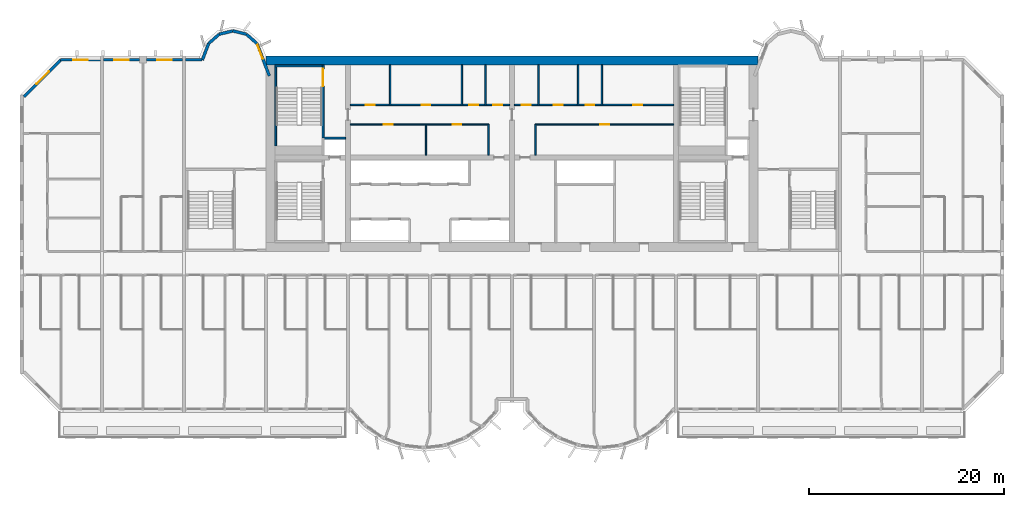
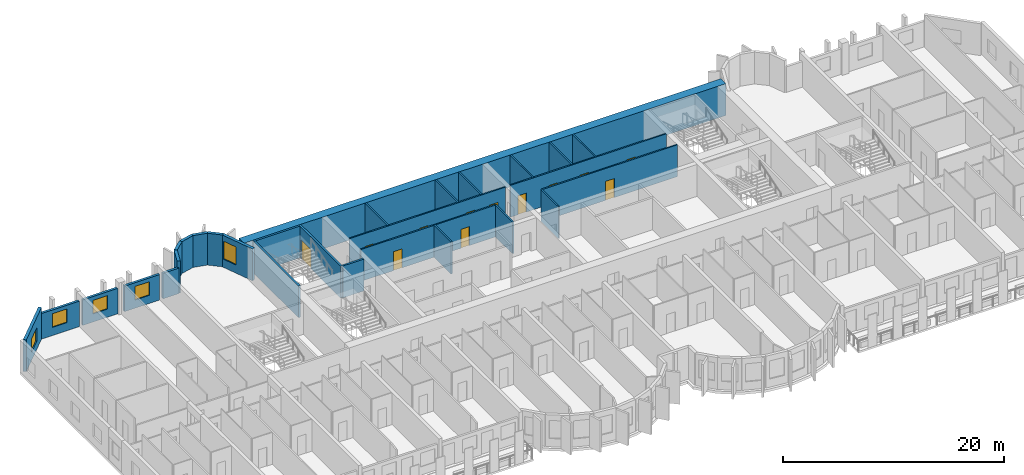
# One storey, part 7 of 14: 29 walls, 12 doors, 5 windows, 17 openings.
"""IFC4 building model written with IfcOpenShell, lengths in metres."""

from ifc_helpers import new_model, si_unit, direction, frame, frame_2d, origin, place, context, subcontext, project, spatial, rectangle, extrude, source, transform, mapped, material, layer, layer_set, type_object, element, fill, save


model = new_model("IFC4")

# Units and contexts
model_context = context("Model", 3, precision=1e-05, world=origin(), true_north=direction((0.0, 1.0)))
body_context = subcontext(model_context, "Body", "Model", "MODEL_VIEW")
ifc_project = project(units=[si_unit("LENGTHUNIT", "METRE"), si_unit("AREAUNIT", "SQUARE_METRE"), si_unit("VOLUMEUNIT", "CUBIC_METRE"), si_unit("PLANEANGLEUNIT", "RADIAN"), si_unit("MASSUNIT", "GRAM", prefix="KILO")], contexts=[model_context])

# Site, building, storey
site_placement = place(None, origin())
site = spatial("IfcSite", under=ifc_project, at=site_placement, CompositionType="ELEMENT")
building_placement = place(site_placement, origin())
building = spatial("IfcBuilding", under=site, at=building_placement, Name="Vanashikhar Sky Hotel", CompositionType="ELEMENT")
storey_placement = place(building_placement, frame((0.0, 0.0, 102.800048828125)))
storey = spatial("IfcBuildingStorey", under=building, at=storey_placement, Name="L24", CompositionType="ELEMENT", Elevation=102.800048828125)

# Wall
ifc_material_1 = material(Name="Concrete M70", Category="concrete")
ifc_layer_1 = layer(ifc_material_1, 0.89990234375)
ifc_layer_set_1 = layer_set([ifc_layer_1], Name="RC core shell wall 900 Concrete M70")
wall_type_1 = type_object("IfcWallType", Name="RC core shell wall 900 Concrete M70", PredefinedType="SHEAR", material=ifc_layer_set_1)
shared_shape_1 = source(origin(), body_context, "Body", "SweptSolid", [
    extrude(rectangle(XDim=50.400146484375, YDim=0.89990234375, at=frame_2d((25.2001953125, 0.0))), origin(), (0.0, 0.0, 1.0), 3.52001953125),
])
wall_1_placement = place(storey_placement, frame((25.199951171875, 41.550048828125, 0.0), z_axis=(0.0, 0.0, 1.0), x_axis=(1.0, 0.0, 0.0)))
element("IfcWall", 1, at=wall_1_placement, inside=storey, type_object=wall_type_1, Name="KW-L24-KN", PredefinedType="SHEAR", context=body_context, shape_type="MappedRepresentation", body=[
    mapped(shared_shape_1, transform((0.0, 0.0, 0.0), scale=1.0)),
])

# Wall, opening, window
ifc_material_2 = material(Name="Concrete M50", Category="concrete")
ifc_layer_2 = layer(ifc_material_2, 0.300048828125)
ifc_layer_set_2 = layer_set([ifc_layer_2], Name="Lobe wall 300")
wall_type_2 = type_object("IfcWallType", Name="Lobe wall 300", PredefinedType="SOLIDWALL", material=ifc_layer_set_2)
shared_shape_2 = source(origin(), body_context, "Body", "SweptSolid", [
    extrude(rectangle(XDim=5.32568359375, YDim=0.300048828125, at=frame_2d((2.662841796875, 0.0))), origin(), (0.0, 0.0, 1.0), 3.52001953125),
])
wall_2_placement = place(storey_placement, frame((4.165771484375, 41.60009765625, 0.0), z_axis=(0.0, 0.0, 1.0), x_axis=(-0.707106781187, -0.707106781187, 0.0)))
wall_2 = element("IfcWall", 2, at=wall_2_placement, inside=storey, type_object=wall_type_2, Name="Corner wall", PredefinedType="SOLIDWALL", context=body_context, shape_type="MappedRepresentation", body=[
    mapped(shared_shape_2, transform((0.0, 0.0, 0.0), scale=1.0)),
])
shared_shape_3 = source(origin(), body_context, "Body", "SweptSolid", [
    extrude(rectangle(XDim=1.800048828125, YDim=1.5, at=frame_2d((0.89990234375, 0.75))), frame((0.0, 0.16015625, 0.0), z_axis=(0.0, -1.0, 0.0), x_axis=(1.0, 0.0, 0.0)), (0.0, 0.0, 1.0), 0.320068359375),
])
opening_1_placement = place(wall_2_placement, frame((1.671875, 0.0, 0.89990234375)))
opening_1 = element("IfcOpeningElement", 3, at=opening_1_placement, cuts=wall_2, Name="Opening WN-4", PredefinedType="OPENING", context=body_context, shape_type="MappedRepresentation", body=[
    mapped(shared_shape_3, transform((0.0, 0.0, 0.0), scale=1.0)),
])
ifc_material_3 = material(Name="Glass", Category="glass")
window_type_1 = type_object("IfcWindowType", Name="Corner window 1800 x 1500", PartitioningType="SINGLE_PANEL", PredefinedType="WINDOW", material=ifc_material_3)
shared_shape_4 = source(origin(), body_context, "Body", "SweptSolid", [
    extrude(rectangle(XDim=1.800048828125, YDim=1.5, at=frame_2d((0.89990234375, 0.75))), frame((0.0, 0.030029296875, 0.0), z_axis=(0.0, -1.0, 0.0), x_axis=(1.0, 0.0, 0.0)), (0.0, 0.0, 1.0), 0.06005859375),
])
window_1_placement = place(opening_1_placement, origin())
window_1 = element("IfcWindow", 4, at=window_1_placement, inside=storey, type_object=window_type_1, Name="Window WN-4", OverallHeight=1.5, OverallWidth=1.800048828125, PartitioningType="SINGLE_PANEL", PredefinedType="WINDOW", context=body_context, shape_type="MappedRepresentation", body=[
    mapped(shared_shape_4, transform((0.0, 0.0, 0.0), scale=1.0)),
])
fill(opening_1, window_1)

shared_shape_5 = source(origin(), body_context, "Body", "SweptSolid", [
    extrude(rectangle(XDim=3.55908203125, YDim=0.300048828125, at=frame_2d((1.779541015625, 0.0))), origin(), (0.0, 0.0, 1.0), 3.52001953125),
])
wall_3_placement = place(storey_placement, frame((25.550048828125, 39.968505859375, 0.0), z_axis=(0.0, 0.0, 1.0), x_axis=(-0.35779745313, 0.933799219604, 0.0)))
wall_3 = element("IfcWall", 5, at=wall_3_placement, inside=storey, type_object=wall_type_2, Name="Lobe wall", PredefinedType="SOLIDWALL", context=body_context, shape_type="MappedRepresentation", body=[
    mapped(shared_shape_5, transform((0.0, 0.0, 0.0), scale=1.0)),
])
shared_shape_6 = source(origin(), body_context, "Body", "SweptSolid", [
    extrude(rectangle(XDim=1.5, YDim=2.0, at=frame_2d((0.75, 1.0))), frame((0.0, 0.16015625, 0.0), z_axis=(0.0, -1.0, 0.0), x_axis=(1.0, 0.0, 0.0)), (0.0, 0.0, 1.0), 0.320068359375),
])
opening_2_placement = place(wall_3_placement, frame((1.9033203125, 0.0, 0.89990234375)))
opening_2 = element("IfcOpeningElement", 6, at=opening_2_placement, cuts=wall_3, Name="Opening WN-2", PredefinedType="OPENING", context=body_context, shape_type="MappedRepresentation", body=[
    mapped(shared_shape_6, transform((0.0, 0.0, 0.0), scale=1.0)),
])
window_type_2 = type_object("IfcWindowType", Name="Lobe window 1500 x 2000", PartitioningType="SINGLE_PANEL", PredefinedType="WINDOW", material=ifc_material_3)
shared_shape_7 = source(origin(), body_context, "Body", "SweptSolid", [
    extrude(rectangle(XDim=1.5, YDim=2.0, at=frame_2d((0.75, 1.0))), frame((0.0, 0.030029296875, 0.0), z_axis=(0.0, -1.0, 0.0), x_axis=(1.0, 0.0, 0.0)), (0.0, 0.0, 1.0), 0.06005859375),
])
window_2_placement = place(opening_2_placement, origin())
window_2 = element("IfcWindow", 7, at=window_2_placement, inside=storey, type_object=window_type_2, Name="Window WN-2", OverallHeight=2.0, OverallWidth=1.5, PartitioningType="SINGLE_PANEL", PredefinedType="WINDOW", context=body_context, shape_type="MappedRepresentation", body=[
    mapped(shared_shape_7, transform((0.0, 0.0, 0.0), scale=1.0)),
])
fill(opening_2, window_2)

# Walls
shared_shape_8 = source(origin(), body_context, "Body", "SweptSolid", [
    extrude(rectangle(XDim=1.440185546875, YDim=0.300048828125, at=frame_2d((0.72021484375, 0.0))), origin(), (0.0, 0.0, 1.0), 3.52001953125),
])
wall_4_placement = place(storey_placement, frame((24.276611328125, 43.2919921875, 0.0), z_axis=(0.0, 0.0, 1.0), x_axis=(-0.749649827867, 0.661834673902, 0.0)))
element("IfcWall", 8, at=wall_4_placement, inside=storey, type_object=wall_type_2, Name="Lobe wall", PredefinedType="SOLIDWALL", context=body_context, shape_type="MappedRepresentation", body=[
    mapped(shared_shape_8, transform((0.0, 0.0, 0.0), scale=1.0)),
])
shared_shape_9 = source(origin(), body_context, "Body", "SweptSolid", [
    extrude(rectangle(XDim=1.4384765625, YDim=0.300048828125, at=frame_2d((0.71923828125, 0.0))), origin(), (0.0, 0.0, 1.0), 3.52001953125),
])
wall_5_placement = place(storey_placement, frame((23.197021484375, 44.2451171875, 0.0), z_axis=(0.0, 0.0, 1.0), x_axis=(-0.971152283879, 0.238460146601, 0.0)))
element("IfcWall", 9, at=wall_5_placement, inside=storey, type_object=wall_type_2, Name="Lobe wall", PredefinedType="SOLIDWALL", context=body_context, shape_type="MappedRepresentation", body=[
    mapped(shared_shape_9, transform((0.0, 0.0, 0.0), scale=1.0)),
])
shared_shape_10 = source(origin(), body_context, "Body", "SweptSolid", [
    extrude(rectangle(XDim=1.438720703125, YDim=0.300048828125, at=frame_2d((0.71923828125, 0.0))), origin(), (0.0, 0.0, 1.0), 3.52001953125),
])
wall_6_placement = place(storey_placement, frame((21.800048828125, 44.588134765625, 0.0), z_axis=(0.0, 0.0, 1.0), x_axis=(-0.971161932466, -0.238420848351, 0.0)))
element("IfcWall", 10, at=wall_6_placement, inside=storey, type_object=wall_type_2, Name="Lobe wall", PredefinedType="SOLIDWALL", context=body_context, shape_type="MappedRepresentation", body=[
    mapped(shared_shape_10, transform((0.0, 0.0, 0.0), scale=1.0)),
])
shared_shape_11 = source(origin(), body_context, "Body", "SweptSolid", [
    extrude(rectangle(XDim=1.43994140625, YDim=0.300048828125, at=frame_2d((0.719970703125, 0.0))), origin(), (0.0, 0.0, 1.0), 3.52001953125),
])
wall_7_placement = place(storey_placement, frame((20.40283203125, 44.2451171875, 0.0), z_axis=(0.0, 0.0, 1.0), x_axis=(-0.74957555648, -0.661918790432, 0.0)))
element("IfcWall", 11, at=wall_7_placement, inside=storey, type_object=wall_type_2, Name="Lobe wall", PredefinedType="SOLIDWALL", context=body_context, shape_type="MappedRepresentation", body=[
    mapped(shared_shape_11, transform((0.0, 0.0, 0.0), scale=1.0)),
])
shared_shape_12 = source(origin(), body_context, "Body", "SweptSolid", [
    extrude(rectangle(XDim=1.81201171875, YDim=0.300048828125, at=frame_2d((0.906005859375, 0.0))), origin(), (0.0, 0.0, 1.0), 3.52001953125),
])
wall_8_placement = place(storey_placement, frame((19.323486328125, 43.2919921875, 0.0), z_axis=(0.0, 0.0, 1.0), x_axis=(-0.357877270961, -0.93376863244, 0.0)))
element("IfcWall", 12, at=wall_8_placement, inside=storey, type_object=wall_type_2, Name="Lobe wall", PredefinedType="SOLIDWALL", context=body_context, shape_type="MappedRepresentation", body=[
    mapped(shared_shape_12, transform((0.0, 0.0, 0.0), scale=1.0)),
])

# Wall, opening, window
ifc_layer_3 = layer(ifc_material_2, 0.25)
ifc_layer_set_3 = layer_set([ifc_layer_3], Name="Rear and end board-marked wall 250")
wall_type_3 = type_object("IfcWallType", Name="Rear and end board-marked wall 250", PredefinedType="SOLIDWALL", material=ifc_layer_set_3)
shared_shape_13 = source(origin(), body_context, "Body", "SweptSolid", [
    extrude(rectangle(XDim=4.06982421875, YDim=0.25, at=frame_2d((2.034912109375, 0.0))), origin(), (0.0, 0.0, 1.0), 2.820068359375),
])
wall_9_placement = place(storey_placement, frame((8.22509765625, 41.625, 0.0), z_axis=(0.0, 0.0, 1.0), x_axis=(-1.0, 0.0, 0.0)))
wall_9 = element("IfcWall", 13, at=wall_9_placement, inside=storey, type_object=wall_type_3, Name="Rear board-marked wall", PredefinedType="SOLIDWALL", context=body_context, shape_type="MappedRepresentation", body=[
    mapped(shared_shape_13, transform((0.0, 0.0, 0.0), scale=1.0)),
])
shared_shape_14 = source(origin(), body_context, "Body", "SweptSolid", [
    extrude(rectangle(XDim=1.5, YDim=1.5, at=frame_2d((0.75, 0.75))), frame((0.0, 0.135009765625, 0.0), z_axis=(0.0, -1.0, 0.0), x_axis=(1.0, 0.0, 0.0)), (0.0, 0.0, 1.0), 0.27001953125),
])
opening_3_placement = place(wall_9_placement, frame((1.284912109375, 0.0, 0.89990234375)))
opening_3 = element("IfcOpeningElement", 14, at=opening_3_placement, cuts=wall_9, Name="Opening WN-1", PredefinedType="OPENING", context=body_context, shape_type="MappedRepresentation", body=[
    mapped(shared_shape_14, transform((0.0, 0.0, 0.0), scale=1.0)),
])
window_type_3 = type_object("IfcWindowType", Name="Window 1500 x 1500", PartitioningType="SINGLE_PANEL", PredefinedType="WINDOW", material=ifc_material_3)
shared_shape_15 = source(origin(), body_context, "Body", "SweptSolid", [
    extrude(rectangle(XDim=1.5, YDim=1.5, at=frame_2d((0.75, 0.75))), frame((0.0, 0.030029296875, 0.0), z_axis=(0.0, -1.0, 0.0), x_axis=(1.0, 0.0, 0.0)), (0.0, 0.0, 1.0), 0.06005859375),
])
window_3_placement = place(opening_3_placement, origin())
window_3 = element("IfcWindow", 15, at=window_3_placement, inside=storey, type_object=window_type_3, Name="Window WN-1", OverallHeight=1.5, OverallWidth=1.5, PartitioningType="SINGLE_PANEL", PredefinedType="WINDOW", context=body_context, shape_type="MappedRepresentation", body=[
    mapped(shared_shape_15, transform((0.0, 0.0, 0.0), scale=1.0)),
])
fill(opening_3, window_3)

shared_shape_16 = source(origin(), body_context, "Body", "SweptSolid", [
    extrude(rectangle(XDim=3.675048828125, YDim=0.25, at=frame_2d((1.83740234375, 0.0))), origin(), (0.0, 0.0, 1.0), 2.820068359375),
])
wall_10_placement = place(storey_placement, frame((12.25, 41.625, 0.0), z_axis=(0.0, 0.0, 1.0), x_axis=(-1.0, 0.0, 0.0)))
wall_10 = element("IfcWall", 16, at=wall_10_placement, inside=storey, type_object=wall_type_3, Name="Rear board-marked wall", PredefinedType="SOLIDWALL", context=body_context, shape_type="MappedRepresentation", body=[
    mapped(shared_shape_16, transform((0.0, 0.0, 0.0), scale=1.0)),
])
opening_4_placement = place(wall_10_placement, frame((1.08740234375, 0.0, 0.89990234375)))
opening_4 = element("IfcOpeningElement", 17, at=opening_4_placement, cuts=wall_10, Name="Opening WN-1", PredefinedType="OPENING", context=body_context, shape_type="MappedRepresentation", body=[
    mapped(shared_shape_14, transform((0.0, 0.0, 0.0), scale=1.0)),
])
window_4_placement = place(opening_4_placement, origin())
window_4 = element("IfcWindow", 18, at=window_4_placement, inside=storey, type_object=window_type_3, Name="Window WN-1", OverallHeight=1.5, OverallWidth=1.5, PartitioningType="SINGLE_PANEL", PredefinedType="WINDOW", context=body_context, shape_type="MappedRepresentation", body=[
    mapped(shared_shape_15, transform((0.0, 0.0, 0.0), scale=1.0)),
])
fill(opening_4, window_4)

wall_11_placement = place(storey_placement, frame((16.625, 41.625, 0.0), z_axis=(0.0, 0.0, 1.0), x_axis=(-1.0, 0.0, 0.0)))
wall_11 = element("IfcWall", 19, at=wall_11_placement, inside=storey, type_object=wall_type_3, Name="Rear board-marked wall", PredefinedType="SOLIDWALL", context=body_context, shape_type="MappedRepresentation", body=[
    mapped(shared_shape_16, transform((0.0, 0.0, 0.0), scale=1.0)),
])
opening_5_placement = place(wall_11_placement, frame((1.08740234375, 0.0, 0.89990234375)))
opening_5 = element("IfcOpeningElement", 20, at=opening_5_placement, cuts=wall_11, Name="Opening WN-1", PredefinedType="OPENING", context=body_context, shape_type="MappedRepresentation", body=[
    mapped(shared_shape_14, transform((0.0, 0.0, 0.0), scale=1.0)),
])
window_5_placement = place(opening_5_placement, origin())
window_5 = element("IfcWindow", 21, at=window_5_placement, inside=storey, type_object=window_type_3, Name="Window WN-1", OverallHeight=1.5, OverallWidth=1.5, PartitioningType="SINGLE_PANEL", PredefinedType="WINDOW", context=body_context, shape_type="MappedRepresentation", body=[
    mapped(shared_shape_15, transform((0.0, 0.0, 0.0), scale=1.0)),
])
fill(opening_5, window_5)

# Walls
shared_shape_17 = source(origin(), body_context, "Body", "SweptSolid", [
    extrude(rectangle(XDim=1.682861328125, YDim=0.25, at=frame_2d((0.84130859375, 0.0))), origin(), (0.0, 0.0, 1.0), 2.820068359375),
])
wall_12_placement = place(storey_placement, frame((18.657958984375, 41.625, 0.0), z_axis=(0.0, 0.0, 1.0), x_axis=(-1.0, 0.0, 0.0)))
element("IfcWall", 22, at=wall_12_placement, inside=storey, type_object=wall_type_3, Name="Rear board-marked wall", PredefinedType="SOLIDWALL", context=body_context, shape_type="MappedRepresentation", body=[
    mapped(shared_shape_17, transform((0.0, 0.0, 0.0), scale=1.0)),
])
ifc_material_4 = material(Name="Gypsum board partition")
ifc_layer_4 = layer(ifc_material_4, 0.14990234375)
ifc_layer_set_4 = layer_set([ifc_layer_4], Name="Service partition 150")
wall_type_4 = type_object("IfcWallType", Name="Service partition 150", PredefinedType="PARTITIONING", material=ifc_layer_set_4)
shared_shape_18 = source(origin(), body_context, "Body", "SweptSolid", [
    extrude(rectangle(XDim=3.14990234375, YDim=0.14990234375, at=frame_2d((1.574951171875, 0.0))), origin(), (0.0, 0.0, 1.0), 3.52001953125),
])
for number, where, z_axis, x_axis, name in (
    (23, (48.0, 31.85009765625, 0.0), (0.0, 0.0, 1.0), (0.0, 1.0, 0.0), "Service partition 150"),
    (24, (41.591064453125, 31.85009765625, 0.0), (0.0, 0.0, 1.0), (0.0, 1.0, 0.0), "Service partition 150"),
    (25, (52.800048828125, 31.85009765625, 0.0), (0.0, 0.0, 1.0), (0.0, 1.0, 0.0), "Service partition 150"),
):
    element("IfcWall", number, at=place(storey_placement, frame(where, z_axis=z_axis, x_axis=x_axis)), inside=storey, type_object=wall_type_4, Name=name, PredefinedType="PARTITIONING", context=body_context, shape_type="MappedRepresentation", body=[
        mapped(shared_shape_18, transform((0.0, 0.0, 0.0), scale=1.0)),
    ])

# Wall, openings, doors
shared_shape_19 = source(origin(), body_context, "Body", "SweptSolid", [
    extrude(rectangle(XDim=14.14990234375, YDim=0.14990234375, at=frame_2d((7.074951171875, 0.0))), origin(), (0.0, 0.0, 1.0), 3.52001953125),
])
wall_13_placement = place(storey_placement, frame((33.85009765625, 35.0, 0.0), z_axis=(0.0, 0.0, 1.0), x_axis=(1.0, 0.0, 0.0)))
wall_13 = element("IfcWall", 26, at=wall_13_placement, inside=storey, type_object=wall_type_4, Name="Service partition 150", PredefinedType="PARTITIONING", context=body_context, shape_type="MappedRepresentation", body=[
    mapped(shared_shape_19, transform((0.0, 0.0, 0.0), scale=1.0)),
])
shared_shape_20 = source(origin(), body_context, "Body", "SweptSolid", [
    extrude(rectangle(XDim=0.89990234375, YDim=2.10009765625, at=frame_2d((0.449951171875, 1.050048828125))), frame((0.0, 0.0849609375, 0.0), z_axis=(0.0, -1.0, 0.0), x_axis=(1.0, 0.0, 0.0)), (0.0, 0.0, 1.0), 0.169921875),
])
opening_6_placement = place(wall_13_placement, frame((3.4208984375, 0.0, 0.0)))
opening_6 = element("IfcOpeningElement", 27, at=opening_6_placement, cuts=wall_13, Name="Opening DC-4-A", PredefinedType="OPENING", context=body_context, shape_type="MappedRepresentation", body=[
    mapped(shared_shape_20, transform((0.0, 0.0, 0.0), scale=1.0)),
])
opening_7_placement = place(wall_13_placement, frame((10.4580078125, 0.0, 0.0)))
opening_7 = element("IfcOpeningElement", 28, at=opening_7_placement, cuts=wall_13, Name="Opening DC-4-A", PredefinedType="OPENING", context=body_context, shape_type="MappedRepresentation", body=[
    mapped(shared_shape_20, transform((0.0, 0.0, 0.0), scale=1.0)),
])
ifc_material_5 = material(Name="Steel", Category="steel")
door_type_1 = type_object("IfcDoorType", Name="Service door 900 FD60", OperationType="NOTDEFINED", PredefinedType="DOOR", material=ifc_material_5)
shared_shape_21 = source(origin(), body_context, "Body", "SweptSolid", [
    extrude(rectangle(XDim=0.89990234375, YDim=2.10009765625, at=frame_2d((0.449951171875, 1.050048828125))), frame((0.0, 0.02490234375, 0.0), z_axis=(0.0, -1.0, 0.0), x_axis=(1.0, 0.0, 0.0)), (0.0, 0.0, 1.0), 0.050048828125),
])
door_1_placement = place(opening_6_placement, origin())
door_1 = element("IfcDoor", 29, at=door_1_placement, inside=storey, type_object=door_type_1, Name="Service door 900 FD60", OperationType="SINGLE_SWING_RIGHT", OverallHeight=2.10009765625, OverallWidth=0.89990234375, PredefinedType="DOOR", context=body_context, shape_type="MappedRepresentation", body=[
    mapped(shared_shape_21, transform((0.0, 0.0, 0.0), scale=1.0)),
])
fill(opening_6, door_1)
door_2_placement = place(opening_7_placement, origin())
door_2 = element("IfcDoor", 30, at=door_2_placement, inside=storey, type_object=door_type_1, Name="Service door 900 FD60", OperationType="SINGLE_SWING_RIGHT", OverallHeight=2.10009765625, OverallWidth=0.89990234375, PredefinedType="DOOR", context=body_context, shape_type="MappedRepresentation", body=[
    mapped(shared_shape_21, transform((0.0, 0.0, 0.0), scale=1.0)),
])
fill(opening_7, door_2)

# Wall, opening, door
wall_14_placement = place(storey_placement, frame((66.949951171875, 35.0, 0.0), z_axis=(0.0, 0.0, 1.0), x_axis=(-1.0, 0.0, 0.0)))
wall_14 = element("IfcWall", 31, at=wall_14_placement, inside=storey, type_object=wall_type_4, Name="Service partition 150", PredefinedType="PARTITIONING", context=body_context, shape_type="MappedRepresentation", body=[
    mapped(shared_shape_19, transform((0.0, 0.0, 0.0), scale=1.0)),
])
opening_8_placement = place(wall_14_placement, frame((6.587890625, 0.0, 0.0)))
opening_8 = element("IfcOpeningElement", 32, at=opening_8_placement, cuts=wall_14, Name="Opening DC-4-A", PredefinedType="OPENING", context=body_context, shape_type="MappedRepresentation", body=[
    mapped(shared_shape_20, transform((0.0, 0.0, 0.0), scale=1.0)),
])
door_3_placement = place(opening_8_placement, origin())
door_3 = element("IfcDoor", 33, at=door_3_placement, inside=storey, type_object=door_type_1, Name="Service door 900 FD60", OperationType="SINGLE_SWING_RIGHT", OverallHeight=2.10009765625, OverallWidth=0.89990234375, PredefinedType="DOOR", context=body_context, shape_type="MappedRepresentation", body=[
    mapped(shared_shape_21, transform((0.0, 0.0, 0.0), scale=1.0)),
])
fill(opening_8, door_3)

# Wall, openings, doors
shared_shape_22 = source(origin(), body_context, "Body", "SweptSolid", [
    extrude(rectangle(XDim=16.2998046875, YDim=0.14990234375, at=frame_2d((8.14990234375, 0.0))), origin(), (0.0, 0.0, 1.0), 3.52001953125),
])
wall_15_placement = place(storey_placement, frame((33.85009765625, 37.0, 0.0), z_axis=(0.0, 0.0, 1.0), x_axis=(1.0, 0.0, 0.0)))
wall_15 = element("IfcWall", 34, at=wall_15_placement, inside=storey, type_object=wall_type_4, Name="Service partition 150", PredefinedType="PARTITIONING", context=body_context, shape_type="MappedRepresentation", body=[
    mapped(shared_shape_22, transform((0.0, 0.0, 0.0), scale=1.0)),
])
opening_9_placement = place(wall_15_placement, frame((1.587890625, 0.0, 0.0)))
opening_9 = element("IfcOpeningElement", 35, at=opening_9_placement, cuts=wall_15, Name="Opening DC-4-A", PredefinedType="OPENING", context=body_context, shape_type="MappedRepresentation", body=[
    mapped(shared_shape_20, transform((0.0, 0.0, 0.0), scale=1.0)),
])
opening_10_placement = place(wall_15_placement, frame((7.29296875, 0.0, 0.0)))
opening_10 = element("IfcOpeningElement", 36, at=opening_10_placement, cuts=wall_15, Name="Opening DC-4-A", PredefinedType="OPENING", context=body_context, shape_type="MappedRepresentation", body=[
    mapped(shared_shape_20, transform((0.0, 0.0, 0.0), scale=1.0)),
])
opening_11_placement = place(wall_15_placement, frame((12.18310546875, 0.0, 0.0)))
opening_11 = element("IfcOpeningElement", 37, at=opening_11_placement, cuts=wall_15, Name="Opening DC-4-A", PredefinedType="OPENING", context=body_context, shape_type="MappedRepresentation", body=[
    mapped(shared_shape_20, transform((0.0, 0.0, 0.0), scale=1.0)),
])
opening_12_placement = place(wall_15_placement, frame((14.626953125, 0.0, 0.0)))
opening_12 = element("IfcOpeningElement", 38, at=opening_12_placement, cuts=wall_15, Name="Opening DC-4-A", PredefinedType="OPENING", context=body_context, shape_type="MappedRepresentation", body=[
    mapped(shared_shape_20, transform((0.0, 0.0, 0.0), scale=1.0)),
])
door_4_placement = place(opening_9_placement, origin())
door_4 = element("IfcDoor", 39, at=door_4_placement, inside=storey, type_object=door_type_1, Name="Service door 900 FD60", OperationType="SINGLE_SWING_RIGHT", OverallHeight=2.10009765625, OverallWidth=0.89990234375, PredefinedType="DOOR", context=body_context, shape_type="MappedRepresentation", body=[
    mapped(shared_shape_21, transform((0.0, 0.0, 0.0), scale=1.0)),
])
fill(opening_9, door_4)
door_5_placement = place(opening_10_placement, origin())
door_5 = element("IfcDoor", 40, at=door_5_placement, inside=storey, type_object=door_type_1, Name="Service door 900 FD60", OperationType="SINGLE_SWING_RIGHT", OverallHeight=2.10009765625, OverallWidth=0.89990234375, PredefinedType="DOOR", context=body_context, shape_type="MappedRepresentation", body=[
    mapped(shared_shape_21, transform((0.0, 0.0, 0.0), scale=1.0)),
])
fill(opening_10, door_5)
door_6_placement = place(opening_11_placement, origin())
door_6 = element("IfcDoor", 41, at=door_6_placement, inside=storey, type_object=door_type_1, Name="Service door 900 FD60", OperationType="SINGLE_SWING_RIGHT", OverallHeight=2.10009765625, OverallWidth=0.89990234375, PredefinedType="DOOR", context=body_context, shape_type="MappedRepresentation", body=[
    mapped(shared_shape_21, transform((0.0, 0.0, 0.0), scale=1.0)),
])
fill(opening_11, door_6)
door_7_placement = place(opening_12_placement, origin())
door_7 = element("IfcDoor", 42, at=door_7_placement, inside=storey, type_object=door_type_1, Name="Service door 900 FD60", OperationType="SINGLE_SWING_LEFT", OverallHeight=2.10009765625, OverallWidth=0.89990234375, PredefinedType="DOOR", context=body_context, shape_type="MappedRepresentation", body=[
    mapped(shared_shape_21, transform((0.0, 0.0, 0.0), scale=1.0)),
])
fill(opening_12, door_7)

# Walls
shared_shape_23 = source(origin(), body_context, "Body", "SweptSolid", [
    extrude(rectangle(XDim=4.10009765625, YDim=0.14990234375, at=frame_2d((2.050048828125, 0.0))), origin(), (0.0, 0.0, 1.0), 3.52001953125),
])
for number, where, z_axis, x_axis, name in (
    (43, (37.925048828125, 37.0, 0.0), (0.0, 0.0, 1.0), (0.0, 1.0, 0.0), "Service partition 150"),
    (44, (45.260009765625, 37.0, 0.0), (0.0, 0.0, 1.0), (0.0, 1.0, 0.0), "Service partition 150"),
    (45, (47.705078125, 37.0, 0.0), (0.0, 0.0, 1.0), (0.0, 1.0, 0.0), "Service partition 150"),
    (46, (59.614990234375, 37.0, 0.0), (0.0, 0.0, 1.0), (0.0, 1.0, 0.0), "Service partition 150"),
    (47, (57.169921875, 37.0, 0.0), (0.0, 0.0, 1.0), (0.0, 1.0, 0.0), "Service partition 150"),
    (48, (53.094970703125, 37.0, 0.0), (0.0, 0.0, 1.0), (0.0, 1.0, 0.0), "Service partition 150"),
):
    element("IfcWall", number, at=place(storey_placement, frame(where, z_axis=z_axis, x_axis=x_axis)), inside=storey, type_object=wall_type_4, Name=name, PredefinedType="PARTITIONING", context=body_context, shape_type="MappedRepresentation", body=[
        mapped(shared_shape_23, transform((0.0, 0.0, 0.0), scale=1.0)),
    ])

# Wall, openings, doors
shared_shape_24 = source(origin(), body_context, "Body", "SweptSolid", [
    extrude(rectangle(XDim=16.300048828125, YDim=0.14990234375, at=frame_2d((8.14990234375, 0.0))), origin(), (0.0, 0.0, 1.0), 3.52001953125),
])
wall_16_placement = place(storey_placement, frame((66.949951171875, 37.0, 0.0), z_axis=(0.0, 0.0, 1.0), x_axis=(-1.0, 0.0, 0.0)))
wall_16 = element("IfcWall", 49, at=wall_16_placement, inside=storey, type_object=wall_type_4, Name="Service partition 150", PredefinedType="PARTITIONING", context=body_context, shape_type="MappedRepresentation", body=[
    mapped(shared_shape_24, transform((0.0, 0.0, 0.0), scale=1.0)),
])
opening_13_placement = place(wall_16_placement, frame((3.218017578125, 0.0, 0.0)))
opening_13 = element("IfcOpeningElement", 50, at=opening_13_placement, cuts=wall_16, Name="Opening DC-4-A", PredefinedType="OPENING", context=body_context, shape_type="MappedRepresentation", body=[
    mapped(shared_shape_20, transform((0.0, 0.0, 0.0), scale=1.0)),
])
opening_14_placement = place(wall_16_placement, frame((8.10791015625, 0.0, 0.0)))
opening_14 = element("IfcOpeningElement", 51, at=opening_14_placement, cuts=wall_16, Name="Opening DC-4-A", PredefinedType="OPENING", context=body_context, shape_type="MappedRepresentation", body=[
    mapped(shared_shape_20, transform((0.0, 0.0, 0.0), scale=1.0)),
])
opening_15_placement = place(wall_16_placement, frame((11.367919921875, 0.0, 0.0)))
opening_15 = element("IfcOpeningElement", 52, at=opening_15_placement, cuts=wall_16, Name="Opening DC-4-A", PredefinedType="OPENING", context=body_context, shape_type="MappedRepresentation", body=[
    mapped(shared_shape_20, transform((0.0, 0.0, 0.0), scale=1.0)),
])
opening_16_placement = place(wall_16_placement, frame((14.626953125, 0.0, 0.0)))
opening_16 = element("IfcOpeningElement", 53, at=opening_16_placement, cuts=wall_16, Name="Opening DC-4-A", PredefinedType="OPENING", context=body_context, shape_type="MappedRepresentation", body=[
    mapped(shared_shape_20, transform((0.0, 0.0, 0.0), scale=1.0)),
])
door_8_placement = place(opening_13_placement, origin())
door_8 = element("IfcDoor", 54, at=door_8_placement, inside=storey, type_object=door_type_1, Name="Service door 900 FD60", OperationType="SINGLE_SWING_LEFT", OverallHeight=2.10009765625, OverallWidth=0.89990234375, PredefinedType="DOOR", context=body_context, shape_type="MappedRepresentation", body=[
    mapped(shared_shape_21, transform((0.0, 0.0, 0.0), scale=1.0)),
])
fill(opening_13, door_8)
door_9_placement = place(opening_14_placement, origin())
door_9 = element("IfcDoor", 55, at=door_9_placement, inside=storey, type_object=door_type_1, Name="Service door 900 FD60", OperationType="SINGLE_SWING_LEFT", OverallHeight=2.10009765625, OverallWidth=0.89990234375, PredefinedType="DOOR", context=body_context, shape_type="MappedRepresentation", body=[
    mapped(shared_shape_21, transform((0.0, 0.0, 0.0), scale=1.0)),
])
fill(opening_14, door_9)
door_10_placement = place(opening_15_placement, origin())
door_10 = element("IfcDoor", 56, at=door_10_placement, inside=storey, type_object=door_type_1, Name="Service door 900 FD60", OperationType="SINGLE_SWING_LEFT", OverallHeight=2.10009765625, OverallWidth=0.89990234375, PredefinedType="DOOR", context=body_context, shape_type="MappedRepresentation", body=[
    mapped(shared_shape_21, transform((0.0, 0.0, 0.0), scale=1.0)),
])
fill(opening_15, door_10)
door_11_placement = place(opening_16_placement, origin())
door_11 = element("IfcDoor", 57, at=door_11_placement, inside=storey, type_object=door_type_1, Name="Service door 900 FD60", OperationType="SINGLE_SWING_RIGHT", OverallHeight=2.10009765625, OverallWidth=0.89990234375, PredefinedType="DOOR", context=body_context, shape_type="MappedRepresentation", body=[
    mapped(shared_shape_21, transform((0.0, 0.0, 0.0), scale=1.0)),
])
fill(opening_16, door_11)

# Wall
ifc_material_6 = material(Name="Concrete M40", Category="concrete")
ifc_layer_5 = layer(ifc_material_6, 0.199951171875)
ifc_layer_set_5 = layer_set([ifc_layer_5], Name="Shaft wall 200")
wall_type_5 = type_object("IfcWallType", Name="Shaft wall 200", PredefinedType="SOLIDWALL", material=ifc_layer_set_5)
shared_shape_25 = source(origin(), body_context, "Body", "SweptSolid", [
    extrude(rectangle(XDim=2.2001953125, YDim=0.199951171875, at=frame_2d((1.10009765625, 0.0))), origin(), (0.0, 0.0, 1.0), 3.52001953125),
])
wall_17_placement = place(storey_placement, frame((31.14990234375, 33.60009765625, 0.0), z_axis=(0.0, 0.0, 1.0), x_axis=(1.0, 0.0, 0.0)))
element("IfcWall", 58, at=wall_17_placement, inside=storey, type_object=wall_type_5, Name="Shaft wall 200", PredefinedType="SOLIDWALL", context=body_context, shape_type="MappedRepresentation", body=[
    mapped(shared_shape_25, transform((0.0, 0.0, 0.0), scale=1.0)),
])

# Wall, opening, door
ifc_layer_6 = layer(ifc_material_2, 0.199951171875)
ifc_layer_set_6 = layer_set([ifc_layer_6], Name="Stair wall 200")
wall_type_6 = type_object("IfcWallType", Name="Stair wall 200", PredefinedType="SOLIDWALL", material=ifc_layer_set_6)
shared_shape_26 = source(origin(), body_context, "Body", "SweptSolid", [
    extrude(rectangle(XDim=7.5, YDim=0.199951171875, at=frame_2d((3.75, 0.0))), origin(), (0.0, 0.0, 1.0), 3.52001953125),
])
wall_18_placement = place(storey_placement, frame((31.050048828125, 33.60009765625, 0.0), z_axis=(0.0, 0.0, 1.0), x_axis=(0.0, 1.0, 0.0)))
wall_18 = element("IfcWall", 59, at=wall_18_placement, inside=storey, type_object=wall_type_6, Name="Stair wall 200", PredefinedType="SOLIDWALL", context=body_context, shape_type="MappedRepresentation", body=[
    mapped(shared_shape_26, transform((0.0, 0.0, 0.0), scale=1.0)),
])
shared_shape_27 = source(origin(), body_context, "Body", "SweptSolid", [
    extrude(rectangle(XDim=1.800048828125, YDim=2.10009765625, at=frame_2d((0.89990234375, 1.050048828125))), frame((0.0, 0.10986328125, 0.0), z_axis=(0.0, -1.0, 0.0), x_axis=(1.0, 0.0, 0.0)), (0.0, 0.0, 1.0), 0.219970703125),
])
opening_17_placement = place(wall_18_placement, frame((5.300048828125, 0.0, 0.0)))
opening_17 = element("IfcOpeningElement", 60, at=opening_17_placement, cuts=wall_18, Name="Opening DC-1-A", PredefinedType="OPENING", context=body_context, shape_type="MappedRepresentation", body=[
    mapped(shared_shape_27, transform((0.0, 0.0, 0.0), scale=1.0)),
])
door_type_2 = type_object("IfcDoorType", Name="Stair door 1800 FD120", OperationType="NOTDEFINED", PredefinedType="DOOR", material=ifc_material_5)
shared_shape_28 = source(origin(), body_context, "Body", "SweptSolid", [
    extrude(rectangle(XDim=1.800048828125, YDim=2.10009765625, at=frame_2d((0.89990234375, 1.050048828125))), frame((0.0, 0.02490234375, 0.0), z_axis=(0.0, -1.0, 0.0), x_axis=(1.0, 0.0, 0.0)), (0.0, 0.0, 1.0), 0.050048828125),
])
door_12_placement = place(opening_17_placement, origin())
door_12 = element("IfcDoor", 61, at=door_12_placement, inside=storey, type_object=door_type_2, Name="Stair door 1800 FD120", OperationType="SINGLE_SWING_LEFT", OverallHeight=2.10009765625, OverallWidth=1.800048828125, PredefinedType="DOOR", context=body_context, shape_type="MappedRepresentation", body=[
    mapped(shared_shape_28, transform((0.0, 0.0, 0.0), scale=1.0)),
])
fill(opening_17, door_12)

# Walls
ifc_layer_7 = layer(ifc_material_2, 0.199951171875)
ifc_layer_set_7 = layer_set([ifc_layer_7], Name="Stair infill wall 200")
wall_type_7 = type_object("IfcWallType", Name="Stair infill wall 200", PredefinedType="SOLIDWALL", material=ifc_layer_set_7)
shared_shape_29 = source(origin(), body_context, "Body", "SweptSolid", [
    extrude(rectangle(XDim=4.849853515625, YDim=0.199951171875, at=frame_2d((2.4248046875, 0.0))), origin(), (0.0, 0.0, 1.0), 3.52001953125),
])
wall_19_placement = place(storey_placement, frame((26.10009765625, 41.0, 0.0), z_axis=(0.0, 0.0, 1.0), x_axis=(1.0, 0.0, 0.0)))
element("IfcWall", 62, at=wall_19_placement, inside=storey, type_object=wall_type_7, Name="Stair infill wall 200", PredefinedType="SOLIDWALL", context=body_context, shape_type="MappedRepresentation", body=[
    mapped(shared_shape_29, transform((0.0, 0.0, 0.0), scale=1.0)),
])
shared_shape_30 = source(origin(), body_context, "Body", "SweptSolid", [
    extrude(rectangle(XDim=8.099853515625, YDim=0.199951171875, at=frame_2d((4.0498046875, 0.0))), origin(), (0.0, 0.0, 1.0), 3.52001953125),
])
wall_20_placement = place(storey_placement, frame((26.199951171875, 32.800048828125, 0.0), z_axis=(0.0, 0.0, 1.0), x_axis=(0.0, 1.0, 0.0)))
element("IfcWall", 63, at=wall_20_placement, inside=storey, type_object=wall_type_7, Name="Stair infill wall 200", PredefinedType="SOLIDWALL", context=body_context, shape_type="MappedRepresentation", body=[
    mapped(shared_shape_30, transform((0.0, 0.0, 0.0), scale=1.0)),
])

save(model, "model.ifc")
